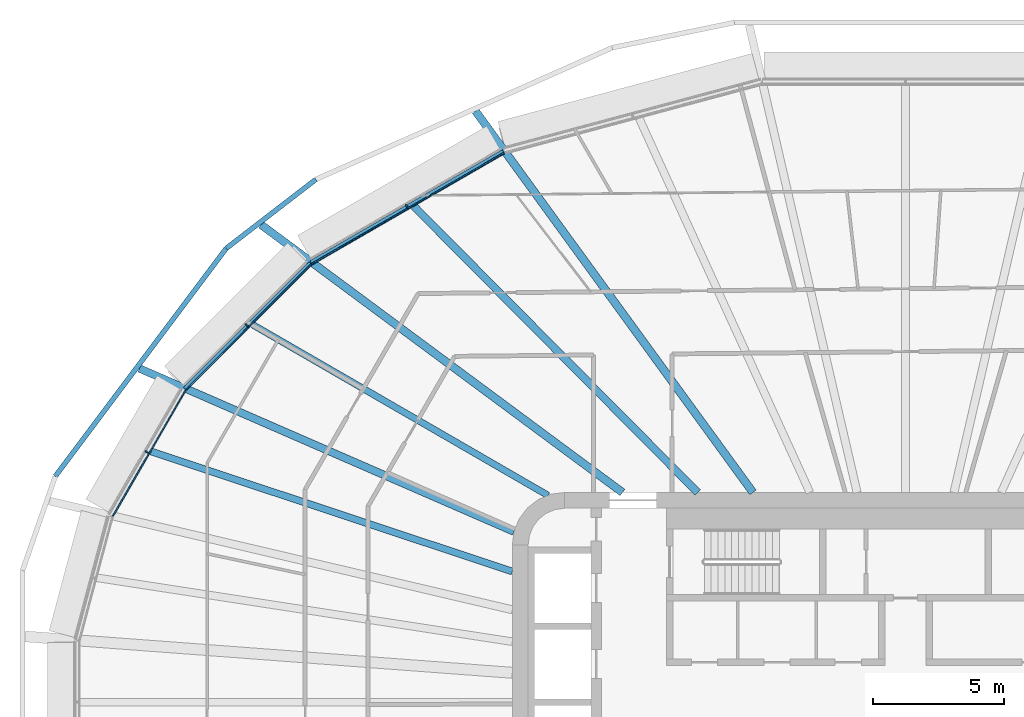
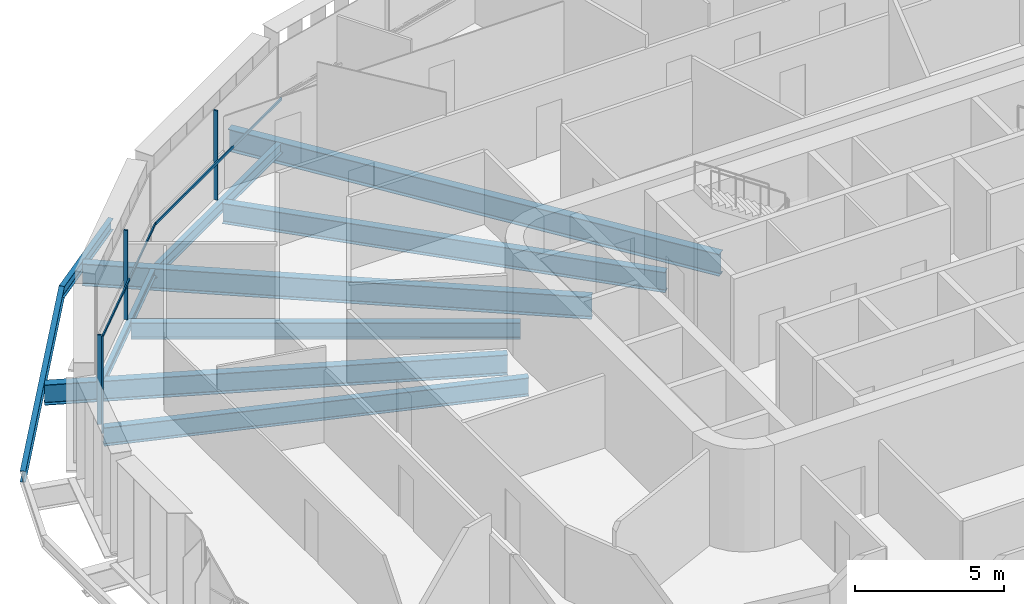
# One storey, part 7 of 26: 10 beams, 6 members, 3 elements without a shape of their own.
"""IFC4 building model written with IfcOpenShell, lengths in metres."""

from ifc_helpers import new_model, si_unit, direction, frame, origin, origin_2d, place, context, subcontext, project, spatial, rectangle, i_section, extrude, material, layer, layer_set, material_profile, profile_set, type_object, element, aggregate, save


model = new_model("IFC4")

# Units and contexts
model_context = context("Model", 3, precision=1e-05, world=origin(), true_north=direction((0.0, 1.0)))
body_context = subcontext(model_context, "Body", "Model", "MODEL_VIEW")
ifc_project = project(units=[si_unit("LENGTHUNIT", "METRE"), si_unit("AREAUNIT", "SQUARE_METRE"), si_unit("VOLUMEUNIT", "CUBIC_METRE"), si_unit("PLANEANGLEUNIT", "RADIAN"), si_unit("MASSUNIT", "GRAM", prefix="KILO")], contexts=[model_context])

# Site, building, storey
site_placement = place(None, origin())
site = spatial("IfcSite", under=ifc_project, at=site_placement, CompositionType="ELEMENT")
building_placement = place(site_placement, origin())
building = spatial("IfcBuilding", under=site, at=building_placement, Name="Sahrelin Media Tower", CompositionType="ELEMENT")
storey_placement = place(building_placement, frame((0.0, 0.0, 92.39990234375)))
storey = spatial("IfcBuildingStorey", under=building, at=storey_placement, Name="L17", CompositionType="ELEMENT", Elevation=92.39990234375)

# Beams
ifc_material_1 = material(Name="Steel S355", Category="steel")
ifc_material_profile_1 = material_profile(ifc_material_1, i_section(OverallWidth=0.17138671875, OverallDepth=0.35498046875, WebThickness=0.00732421875, FlangeThickness=0.011474609375, FilletRadius=0.01025390625, at=origin_2d()), Name="UB 356x171x51")
ifc_profile_set_1 = profile_set([ifc_material_profile_1], Name="Steel S355")
beam_type_1 = type_object("IfcBeamType", Name="Edge beam EB3", PredefinedType="BEAM", material=ifc_profile_set_1)
beam_1_placement = place(storey_placement, frame((-27.482666015625, 11.946044921875, -0.327392578125), z_axis=(0.707106781187, 0.707106781187, 0.0), x_axis=(-0.707106781187, 0.707106781187, 0.0)))
element("IfcBeam", 1, at=beam_1_placement, inside=storey, type_object=beam_type_1, Name="Edge beam L17-16", PredefinedType="BEAM", context=body_context, shape_type="SweptSolid", body=[
    extrude(i_section(OverallWidth=0.17138671875, OverallDepth=0.35498046875, WebThickness=0.00732421875, FlangeThickness=0.011474609375, FilletRadius=0.01025390625, at=origin_2d()), origin(), (0.0, 0.0, 1.0), 6.7783203125),
])
ifc_material_profile_2 = material_profile(ifc_material_1, i_section(OverallWidth=0.1904296875, OverallDepth=0.45703125, WebThickness=0.009033203125, FlangeThickness=0.014404296875, FilletRadius=0.01025390625, at=origin_2d()), Name="UB 457x191x74")
ifc_profile_set_2 = profile_set([ifc_material_profile_2], Name="Steel S355")
beam_type_2 = type_object("IfcBeamType", Name="Edge beam EB5", PredefinedType="BEAM", material=ifc_profile_set_2)
beam_2_placement = place(storey_placement, frame((-22.666748046875, 16.756591796875, -0.37841796875), z_axis=(0.866025712585, 0.499999465141, 0.0), x_axis=(-0.499999465141, 0.866025712585, 0.0)))
element("IfcBeam", 2, at=beam_2_placement, inside=storey, type_object=beam_type_2, Name="Edge beam L17-17", PredefinedType="BEAM", context=body_context, shape_type="SweptSolid", body=[
    extrude(i_section(OverallWidth=0.1904296875, OverallDepth=0.45703125, WebThickness=0.009033203125, FlangeThickness=0.014404296875, FilletRadius=0.01025390625, at=origin_2d()), origin(), (0.0, 0.0, 1.0), 8.46826171875),
])

# Curtain wall, member
ifc_material_2 = material(Name="Champagne anodised aluminium 6063-T6", Category="aluminium")
ifc_layer = layer(ifc_material_2, 0.14990234375)
ifc_layer_set = layer_set([ifc_layer], Name="Tower ribbon curtain wall")
curtain_wall_type = type_object("IfcCurtainWallType", Name="Tower ribbon curtain wall", PredefinedType="NOTDEFINED", material=ifc_layer_set)
curtain_wall_1_placement = place(storey_placement, frame((-19.074951171875, 19.003662109375, 0.0), z_axis=(0.0, 0.0, 1.0), x_axis=(1.0, 0.0, 0.0)))
curtain_wall_1 = element("IfcCurtainWall", 3, at=curtain_wall_1_placement, inside=storey, type_object=curtain_wall_type, Name="L17:CW:L17-08", PredefinedType="NOTDEFINED")
ifc_material_profile_3 = material_profile(ifc_material_2, rectangle(XDim=0.06005859375, YDim=0.14990234375, at=origin_2d()), Name="Mullion 60x150")
ifc_profile_set_3 = profile_set([ifc_material_profile_3], Name="Champagne anodised aluminium 6063-T6")
member_type_1 = type_object("IfcMemberType", Name="Mullion 60x150 CW1", PredefinedType="MULLION", material=ifc_profile_set_3)
member_1_placement = place(storey_placement, frame((-19.02734375, 18.92138671875, 0.0), z_axis=(0.0, 0.0, 1.0), x_axis=(-0.866022785779, -0.500004534492, 0.0)))
member_1 = element("IfcMember", 4, at=member_1_placement, type_object=member_type_1, Name="L17:CWM:L17-08", PredefinedType="MULLION", context=body_context, shape_type="SweptSolid", body=[
    extrude(rectangle(XDim=0.06005859375, YDim=0.14990234375, at=origin_2d()), origin(), (0.0, 0.0, 1.0), 3.648681640625),
])

curtain_wall_2_placement = place(storey_placement, frame((-25.192138671875, 14.448486328125, 0.0), z_axis=(0.0, 0.0, 1.0), x_axis=(1.0, 0.0, 0.0)))
curtain_wall_2 = element("IfcCurtainWall", 5, at=curtain_wall_2_placement, inside=storey, type_object=curtain_wall_type, Name="L17:CW:L17-09", PredefinedType="NOTDEFINED")
member_2_placement = place(storey_placement, frame((-25.125, 14.381591796875, 0.0), z_axis=(0.0, 0.0, 1.0), x_axis=(-0.707114185953, -0.707099376343, 0.0)))
member_2 = element("IfcMember", 6, at=member_2_placement, type_object=member_type_1, Name="L17:CWM:L17-09", PredefinedType="MULLION", context=body_context, shape_type="SweptSolid", body=[
    extrude(rectangle(XDim=0.06005859375, YDim=0.14990234375, at=origin_2d()), origin(), (0.0, 0.0, 1.0), 3.648681640625),
])

curtain_wall_3_placement = place(storey_placement, frame((-29.021484375, 9.58837890625, 0.0), z_axis=(0.0, 0.0, 1.0), x_axis=(1.0, 0.0, 0.0)))
curtain_wall_3 = element("IfcCurtainWall", 7, at=curtain_wall_3_placement, inside=storey, type_object=curtain_wall_type, Name="L17:CW:L17-10", PredefinedType="NOTDEFINED")
member_3_placement = place(storey_placement, frame((-28.939208984375, 9.540771484375, 0.0), z_axis=(0.0, 0.0, 1.0), x_axis=(-0.499990930976, -0.866030639725, 0.0)))
member_3 = element("IfcMember", 8, at=member_3_placement, type_object=member_type_1, Name="L17:CWM:L17-10", PredefinedType="MULLION", context=body_context, shape_type="SweptSolid", body=[
    extrude(rectangle(XDim=0.06005859375, YDim=0.14990234375, at=origin_2d()), origin(), (0.0, 0.0, 1.0), 3.648681640625),
])

# Beams
ifc_material_profile_4 = material_profile(ifc_material_1, i_section(OverallWidth=0.291748046875, OverallDepth=0.8349609375, WebThickness=0.013916015625, FlangeThickness=0.018798828125, FilletRadius=0.017822265625, at=origin_2d()), Name="UB 838x292x176")
ifc_profile_set_4 = profile_set([ifc_material_profile_4], Name="Steel S355")
beam_type_3 = type_object("IfcBeamType", Name="Radial primary beam PB10", PredefinedType="BEAM", material=ifc_profile_set_4)
beam_3_placement = place(storey_placement, frame((-14.93359375, 6.5048828125, -0.5673828125), z_axis=(-0.916801692718, 0.399342780366, 0.0), x_axis=(-0.399342780366, -0.916801692718, 0.0)))
element("IfcBeam", 9, at=beam_3_placement, inside=storey, type_object=beam_type_3, Name="Radial beam L17-10", PredefinedType="BEAM", context=body_context, shape_type="SweptSolid", body=[
    extrude(i_section(OverallWidth=0.291748046875, OverallDepth=0.8349609375, WebThickness=0.013916015625, FlangeThickness=0.018798828125, FilletRadius=0.017822265625, at=origin_2d()), origin(), (0.0, 0.0, 1.0), 15.5888671875),
])
ifc_material_profile_5 = material_profile(ifc_material_1, i_section(OverallWidth=0.30322265625, OverallDepth=0.903076171875, WebThickness=0.01513671875, FlangeThickness=0.020263671875, FilletRadius=0.01904296875, at=origin_2d()), Name="UB 914x305x201")
ifc_profile_set_5 = profile_set([ifc_material_profile_5], Name="Steel S355")
beam_type_4 = type_object("IfcBeamType", Name="Radial primary beam PB11", PredefinedType="BEAM", material=ifc_profile_set_5)
beam_4_placement = place(storey_placement, frame((-5.8203125, 8.0, -0.601318359375), z_axis=(-0.588301637605, 0.808641566574, 0.0), x_axis=(-0.808641566574, -0.588301637605, 0.0)))
element("IfcBeam", 10, at=beam_4_placement, inside=storey, type_object=beam_type_4, Name="Radial beam L17-08", PredefinedType="BEAM", context=body_context, shape_type="SweptSolid", body=[
    extrude(i_section(OverallWidth=0.30322265625, OverallDepth=0.903076171875, WebThickness=0.01513671875, FlangeThickness=0.020263671875, FilletRadius=0.01904296875, at=origin_2d()), origin(), (0.0, 0.0, 1.0), 17.9853515625),
])
beam_5_placement = place(storey_placement, frame((-10.798828125, 8.0, -0.601318359375), z_axis=(-0.803531476901, 0.595262266257, 0.0), x_axis=(-0.595262266257, -0.803531476901, 0.0)))
element("IfcBeam", 11, at=beam_5_placement, inside=storey, type_object=beam_type_4, Name="Radial beam L17-09", PredefinedType="BEAM", context=body_context, shape_type="SweptSolid", body=[
    extrude(i_section(OverallWidth=0.30322265625, OverallDepth=0.903076171875, WebThickness=0.01513671875, FlangeThickness=0.020263671875, FilletRadius=0.01904296875, at=origin_2d()), origin(), (0.0, 0.0, 1.0), 17.154541015625),
])
ifc_material_profile_6 = material_profile(ifc_material_1, i_section(OverallWidth=0.291748046875, OverallDepth=0.8349609375, WebThickness=0.013916015625, FlangeThickness=0.018798828125, FilletRadius=0.017822265625, at=origin_2d()), Name="UB 838x292x176")
ifc_profile_set_6 = profile_set([ifc_material_profile_6], Name="Steel S355")
beam_type_5 = type_object("IfcBeamType", Name="Radial secondary beam SB10", PredefinedType="BEAM", material=ifc_profile_set_6)
beam_6_placement = place(storey_placement, frame((-7.93115234375, 8.0, -0.5673828125), z_axis=(-0.704056941584, 0.710143522823, 0.0), x_axis=(-0.710143522823, -0.704056941584, 0.0)))
element("IfcBeam", 12, at=beam_6_placement, inside=storey, type_object=beam_type_5, Name="Secondary beam L17-08", PredefinedType="BEAM", context=body_context, shape_type="SweptSolid", body=[
    extrude(i_section(OverallWidth=0.291748046875, OverallDepth=0.8349609375, WebThickness=0.013916015625, FlangeThickness=0.018798828125, FilletRadius=0.017822265625, at=origin_2d()), origin(), (0.0, 0.0, 1.0), 15.362548828125),
])
ifc_material_profile_7 = material_profile(ifc_material_1, i_section(OverallWidth=0.2529296875, OverallDepth=0.677978515625, WebThickness=0.01171875, FlangeThickness=0.01611328125, FilletRadius=0.01513671875, at=origin_2d()), Name="UB 686x254x125")
ifc_profile_set_7 = profile_set([ifc_material_profile_7], Name="Steel S355")
beam_type_6 = type_object("IfcBeamType", Name="Radial secondary beam SB8", PredefinedType="BEAM", material=ifc_profile_set_7)
beam_7_placement = place(storey_placement, frame((-13.63525390625, 7.88330078125, -0.48876953125), z_axis=(-0.865726960109, 0.500516563703, 0.0), x_axis=(-0.500516563703, -0.865726960109, 0.0)))
element("IfcBeam", 13, at=beam_7_placement, inside=storey, type_object=beam_type_6, Name="Secondary beam L17-09", PredefinedType="BEAM", context=body_context, shape_type="SweptSolid", body=[
    extrude(i_section(OverallWidth=0.2529296875, OverallDepth=0.677978515625, WebThickness=0.01171875, FlangeThickness=0.01611328125, FilletRadius=0.01513671875, at=origin_2d()), origin(), (0.0, 0.0, 1.0), 13.020263671875),
])
ifc_material_profile_8 = material_profile(ifc_material_1, i_section(OverallWidth=0.26513671875, OverallDepth=0.75390625, WebThickness=0.0126953125, FlangeThickness=0.017578125, FilletRadius=0.0166015625, at=origin_2d()), Name="UB 762x267x147")
ifc_profile_set_8 = profile_set([ifc_material_profile_8], Name="Steel S355")
beam_type_7 = type_object("IfcBeamType", Name="Radial secondary beam SB9", PredefinedType="BEAM", material=ifc_profile_set_8)
beam_8_placement = place(storey_placement, frame((-15.0, 4.983642578125, -0.52685546875), z_axis=(-0.948994110949, 0.315293795346, 0.0), x_axis=(-0.315293795346, -0.948994110949, 0.0)))
element("IfcBeam", 14, at=beam_8_placement, inside=storey, type_object=beam_type_7, Name="Secondary beam L17-10", PredefinedType="BEAM", context=body_context, shape_type="SweptSolid", body=[
    extrude(i_section(OverallWidth=0.26513671875, OverallDepth=0.75390625, WebThickness=0.0126953125, FlangeThickness=0.017578125, FilletRadius=0.0166015625, at=origin_2d()), origin(), (0.0, 0.0, 1.0), 14.510009765625),
])
ifc_material_profile_9 = material_profile(ifc_material_1, i_section(OverallWidth=0.1904296875, OverallDepth=0.45703125, WebThickness=0.009033203125, FlangeThickness=0.014404296875, FilletRadius=0.01025390625, at=origin_2d()), Name="UB 457x191x74")
ifc_profile_set_9 = profile_set([ifc_material_profile_9], Name="Steel S355")
beam_type_8 = type_object("IfcBeamType", Name="Tie chord TC5", PredefinedType="BEAM", material=ifc_profile_set_9)
beam_9_placement = place(storey_placement, frame((-22.4912109375, 19.94140625, -0.37841796875), z_axis=(-0.792463992423, -0.609918700084, 0.0), x_axis=(0.609918700084, -0.792463992423, 0.0)))
element("IfcBeam", 15, at=beam_9_placement, inside=storey, type_object=beam_type_8, Name="Tie chord L17-09", PredefinedType="BEAM", context=body_context, shape_type="SweptSolid", body=[
    extrude(i_section(OverallWidth=0.1904296875, OverallDepth=0.45703125, WebThickness=0.009033203125, FlangeThickness=0.014404296875, FilletRadius=0.01025390625, at=origin_2d()), origin(), (0.0, 0.0, 1.0), 4.311767578125),
])
beam_10_placement = place(storey_placement, frame((-25.908203125, 17.3115234375, -0.37841796875), z_axis=(-0.600046705704, -0.799964968592, 0.0), x_axis=(0.799964968592, -0.600046705704, 0.0)))
element("IfcBeam", 16, at=beam_10_placement, inside=storey, type_object=beam_type_8, Name="Tie chord L17-10", PredefinedType="BEAM", context=body_context, shape_type="SweptSolid", body=[
    extrude(i_section(OverallWidth=0.1904296875, OverallDepth=0.45703125, WebThickness=0.009033203125, FlangeThickness=0.014404296875, FilletRadius=0.01025390625, at=origin_2d()), origin(), (0.0, 0.0, 1.0), 10.872314453125),
])

# Member
ifc_material_profile_10 = material_profile(ifc_material_2, rectangle(XDim=0.050048828125, YDim=0.10009765625, at=origin_2d()), Name="Transom 50x100")
ifc_profile_set_10 = profile_set([ifc_material_profile_10], Name="Champagne anodised aluminium 6063-T6")
member_type_2 = type_object("IfcMemberType", Name="Transom 50x100 CW1", PredefinedType="USERDEFINED", material=ifc_profile_set_10)
member_4_placement = place(storey_placement, frame((-15.32421875, 20.94384765625, 1.60009765625), z_axis=(-0.866029933621, -0.499992154011, 0.0), x_axis=(0.499992154011, -0.866029933621, 0.0)))
member_4 = element("IfcMember", 17, at=member_4_placement, type_object=member_type_2, Name="L17:CWT:L17-08", ObjectType="TRANSOM", PredefinedType="USERDEFINED", context=body_context, shape_type="SweptSolid", body=[
    extrude(rectangle(XDim=0.050048828125, YDim=0.10009765625, at=origin_2d()), origin(), (0.0, 0.0, 1.0), 8.436767578125),
])

aggregate(curtain_wall_1, [member_1, member_4])

member_5_placement = place(storey_placement, frame((-22.6689453125, 16.6962890625, 1.60009765625), z_axis=(-0.707088688516, -0.707124873394, 0.0), x_axis=(0.707124873394, -0.707088688516, 0.0)))
member_5 = element("IfcMember", 18, at=member_5_placement, type_object=member_type_2, Name="L17:CWT:L17-09", ObjectType="TRANSOM", PredefinedType="USERDEFINED", context=body_context, shape_type="SweptSolid", body=[
    extrude(rectangle(XDim=0.050048828125, YDim=0.10009765625, at=origin_2d()), origin(), (0.0, 0.0, 1.0), 6.7470703125),
])

aggregate(curtain_wall_2, [member_2, member_5])

member_6_placement = place(storey_placement, frame((-27.468994140625, 11.88720703125, 1.60009765625), z_axis=(-0.500001219746, -0.866024699562, 0.0), x_axis=(0.866024699562, -0.500001219746, 0.0)))
member_6 = element("IfcMember", 19, at=member_6_placement, type_object=member_type_2, Name="L17:CWT:L17-10", ObjectType="TRANSOM", PredefinedType="USERDEFINED", context=body_context, shape_type="SweptSolid", body=[
    extrude(rectangle(XDim=0.050048828125, YDim=0.10009765625, at=origin_2d()), origin(), (0.0, 0.0, 1.0), 5.5341796875),
])

aggregate(curtain_wall_3, [member_3, member_6])

save(model, "model.ifc")
